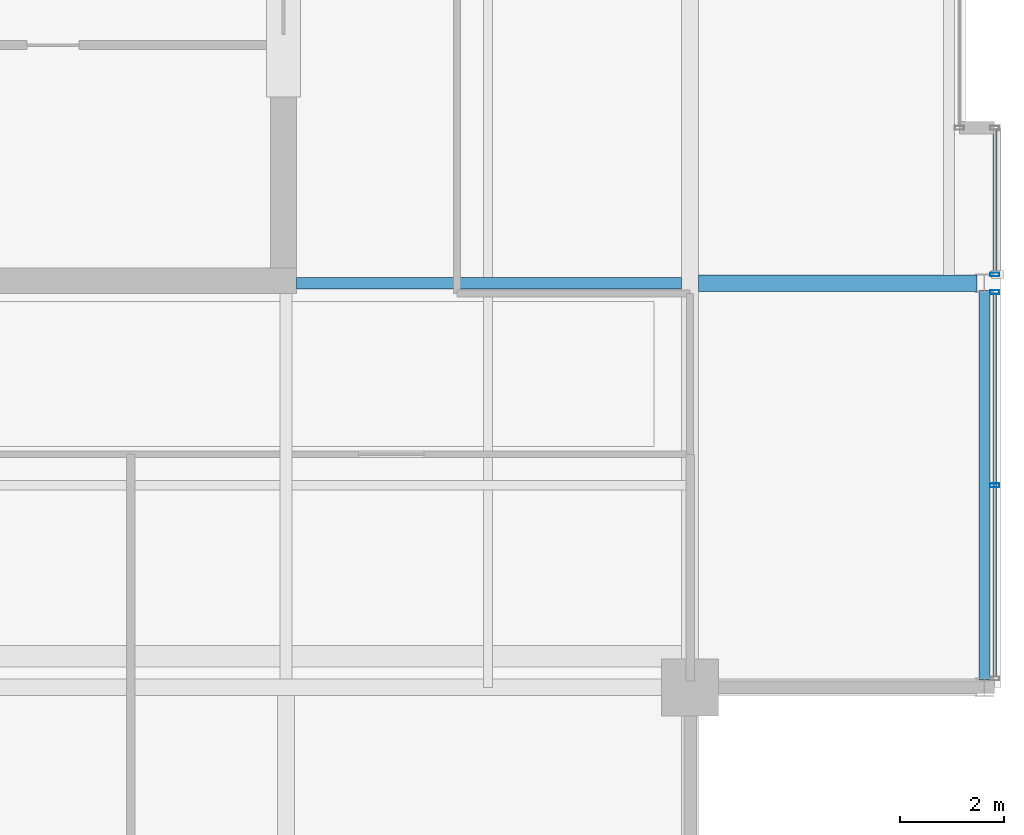
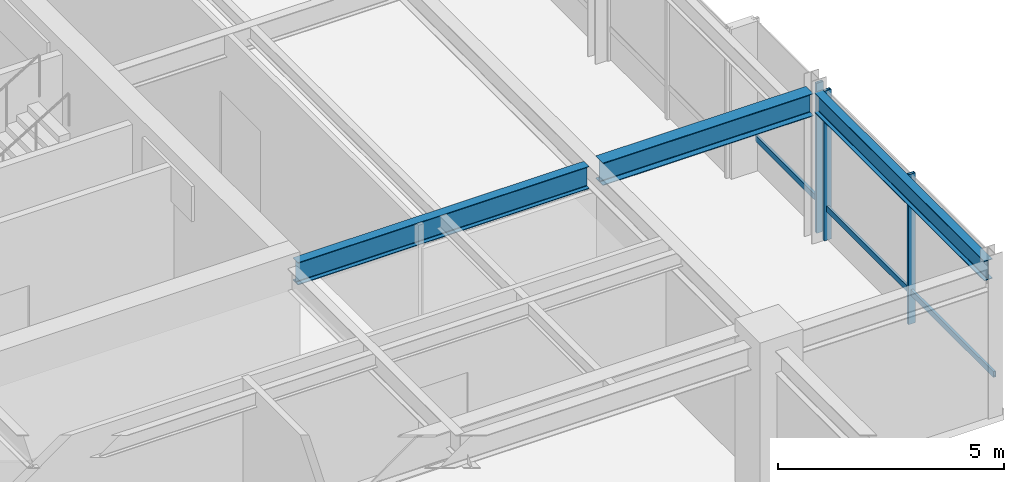
# One storey, part 17 of 33: 5 members, 3 beams, 2 elements without a shape of their own.
"""IFC4 building model written with IfcOpenShell, lengths in metres."""

from ifc_helpers import new_model, si_unit, direction, frame, origin, origin_2d, place, context, subcontext, project, spatial, hollow_rectangle, i_section, extrude, material, layer, layer_set, material_profile, profile_set, type_object, element, aggregate, save


model = new_model("IFC4")

# Units and contexts
model_context = context("Model", 3, precision=1e-05, world=origin(), true_north=direction((0.0, 1.0)))
body_context = subcontext(model_context, "Body", "Model", "MODEL_VIEW")
ifc_project = project(units=[si_unit("LENGTHUNIT", "METRE"), si_unit("AREAUNIT", "SQUARE_METRE"), si_unit("VOLUMEUNIT", "CUBIC_METRE"), si_unit("PLANEANGLEUNIT", "RADIAN"), si_unit("MASSUNIT", "GRAM", prefix="KILO")], contexts=[model_context])

# Site, building, storey
site_placement = place(None, origin())
site = spatial("IfcSite", under=ifc_project, at=site_placement, CompositionType="ELEMENT")
building_placement = place(site_placement, origin())
building = spatial("IfcBuilding", under=site, at=building_placement, Name="Drelvath Grand Hotel", CompositionType="ELEMENT")
storey_placement = place(building_placement, frame((0.0, 0.0, 298.60009765625)))
storey = spatial("IfcBuildingStorey", under=building, at=storey_placement, Name="L78", CompositionType="ELEMENT", Elevation=298.60009765625)

# Curtain wall, member
ifc_material_1 = material(Name="Platinum-Mist Anodised Aluminium Frame", Category="aluminium")
ifc_layer = layer(ifc_material_1, 0.199951171875)
ifc_layer_set = layer_set([ifc_layer], Name="Platinum-Mist Anodised Aluminium Frame")
curtain_wall_type = type_object("IfcCurtainWallType", Name="Stick Curtain Wall CW-05 Platinum Mist High-Rise", PredefinedType="NOTDEFINED", material=ifc_layer_set)
curtain_wall_1_placement = place(storey_placement, origin())
curtain_wall_1 = element("IfcCurtainWall", 1, at=curtain_wall_1_placement, inside=storey, type_object=curtain_wall_type, Name="L78 CW-05 Curtain Wall CW05-L78-ES1", PredefinedType="NOTDEFINED")
ifc_material_profile_1 = material_profile(ifc_material_1, hollow_rectangle(XDim=0.06494140625, YDim=0.159912109375, WallThickness=0.00390625, at=origin_2d()), Name="HSS160X65X4")
ifc_profile_set_1 = profile_set([ifc_material_profile_1], Name="Platinum-Mist Anodised Aluminium Frame")
member_type_1 = type_object("IfcMemberType", Name="Curtain Wall Horizontal Transom CW-05 HSS160X65X4", PredefinedType="USERDEFINED", material=ifc_profile_set_1)
member_1_placement = place(storey_placement, frame((22.080078125, 18.389892578125, 0.849853515625), z_axis=(0.0, -1.0, 0.0), x_axis=(1.0, 0.0, 0.0)))
member_1 = element("IfcMember", 2, at=member_1_placement, type_object=member_type_1, Name="CW05-L78-ES1 Sill Transom", ObjectType="TRANSOM", PredefinedType="USERDEFINED", context=body_context, shape_type="SweptSolid", body=[
    extrude(hollow_rectangle(XDim=0.06494140625, YDim=0.159912109375, WallThickness=0.00390625, at=origin_2d()), origin(), (0.0, 0.0, 1.0), 7.3798828125),
])

curtain_wall_2_placement = place(storey_placement, origin())
curtain_wall_2 = element("IfcCurtainWall", 3, at=curtain_wall_2_placement, inside=storey, type_object=curtain_wall_type, Name="L78 CW-05 Curtain Wall CW05-L78-ES2", PredefinedType="NOTDEFINED")
member_2_placement = place(storey_placement, frame((22.080078125, 21.56005859375, 0.849853515625), z_axis=(0.0, -1.0, 0.0), x_axis=(1.0, 0.0, 0.0)))
member_2 = element("IfcMember", 4, at=member_2_placement, type_object=member_type_1, Name="CW05-L78-ES2 Sill Transom", ObjectType="TRANSOM", PredefinedType="USERDEFINED", context=body_context, shape_type="SweptSolid", body=[
    extrude(hollow_rectangle(XDim=0.06494140625, YDim=0.159912109375, WallThickness=0.00390625, at=origin_2d()), origin(), (0.0, 0.0, 1.0), 2.75),
])

# Member
ifc_material_profile_2 = material_profile(ifc_material_1, hollow_rectangle(XDim=0.074951171875, YDim=0.179931640625, WallThickness=0.0048828125, at=origin_2d()), Name="HSS180X75X5")
ifc_profile_set_2 = profile_set([ifc_material_profile_2], Name="Platinum-Mist Anodised Aluminium Frame")
member_type_2 = type_object("IfcMemberType", Name="Curtain Wall Vertical Mullion CW-05 HSS180X75X5", PredefinedType="MULLION", material=ifc_profile_set_2)
member_3_placement = place(storey_placement, frame((22.080078125, 18.429931640625, 0.0), z_axis=(0.0, 0.0, 1.0), x_axis=(0.0, 1.0, 0.0)))
member_3 = element("IfcMember", 5, at=member_3_placement, type_object=member_type_2, Name="CW05-L78-ES1 Mullion 1", PredefinedType="MULLION", context=body_context, shape_type="SweptSolid", body=[
    extrude(hollow_rectangle(XDim=0.074951171875, YDim=0.179931640625, WallThickness=0.0048828125, at=origin_2d()), origin(), (0.0, 0.0, 1.0), 4.0498046875),
])

member_4_placement = place(storey_placement, frame((22.080078125, 14.7001953125, 0.0), z_axis=(0.0, 0.0, 1.0), x_axis=(0.0, 1.0, 0.0)))
member_4 = element("IfcMember", 6, at=member_4_placement, type_object=member_type_2, Name="CW05-L78-ES1 Mullion 2", PredefinedType="MULLION", context=body_context, shape_type="SweptSolid", body=[
    extrude(hollow_rectangle(XDim=0.074951171875, YDim=0.179931640625, WallThickness=0.0048828125, at=origin_2d()), origin(), (0.0, 0.0, 1.0), 4.0498046875),
])

aggregate(curtain_wall_1, [member_3, member_4, member_1])

member_5_placement = place(storey_placement, frame((22.080078125, 18.77001953125, 0.0), z_axis=(0.0, 0.0, 1.0), x_axis=(0.0, 1.0, 0.0)))
member_5 = element("IfcMember", 7, at=member_5_placement, type_object=member_type_2, Name="CW05-L78-ES2 Mullion 2", PredefinedType="MULLION", context=body_context, shape_type="SweptSolid", body=[
    extrude(hollow_rectangle(XDim=0.074951171875, YDim=0.179931640625, WallThickness=0.0048828125, at=origin_2d()), origin(), (0.0, 0.0, 1.0), 4.0498046875),
])

aggregate(curtain_wall_2, [member_5, member_2])

# Beams
ifc_material_2 = material(Name="Steel ASTM A992 Gr 50", Category="steel")
ifc_material_profile_3 = material_profile(ifc_material_2, i_section(OverallWidth=0.210205078125, OverallDepth=0.53662109375, WebThickness=0.010986328125, FlangeThickness=0.017333984375, FilletRadius=0.01806640625, at=origin_2d()), Name="W21X68")
ifc_profile_set_3 = profile_set([ifc_material_profile_3], Name="Steel ASTM A992 Gr 50")
beam_type_1 = type_object("IfcBeamType", Name="Perimeter Spandrel Beam W21X68", PredefinedType="SPANDREL", material=ifc_profile_set_3)
beam_1_placement = place(storey_placement, frame((21.8798828125, 10.93994140625, 3.781494140625), z_axis=(0.0, 1.0, 0.0), x_axis=(-1.0, 0.0, 0.0)))
element("IfcBeam", 8, at=beam_1_placement, inside=storey, type_object=beam_type_1, Name="L78 Spandrel East S", PredefinedType="SPANDREL", context=body_context, shape_type="SweptSolid", body=[
    extrude(i_section(OverallWidth=0.210205078125, OverallDepth=0.53662109375, WebThickness=0.010986328125, FlangeThickness=0.017333984375, FilletRadius=0.01806640625, at=origin_2d()), origin(), (0.0, 0.0, 1.0), 7.52001953125),
])
ifc_material_profile_4 = material_profile(ifc_material_2, i_section(OverallWidth=0.323974609375, OverallDepth=0.611083984375, WebThickness=0.0126953125, FlangeThickness=0.01904296875, FilletRadius=0.02197265625, at=origin_2d()), Name="W24X104")
ifc_profile_set_4 = profile_set([ifc_material_profile_4], Name="Steel ASTM A992 Gr 50")
beam_type_2 = type_object("IfcBeamType", Name="Primary Floor Girder W24X104", PredefinedType="BEAM", material=ifc_profile_set_4)
beam_2_placement = place(storey_placement, frame((16.362060546875, 18.60009765625, 3.744384765625), z_axis=(1.0, 0.0, 0.0), x_axis=(0.0, 1.0, 0.0)))
element("IfcBeam", 9, at=beam_2_placement, inside=storey, type_object=beam_type_2, Name="L78 East Wing Girder D", PredefinedType="BEAM", context=body_context, shape_type="SweptSolid", body=[
    extrude(i_section(OverallWidth=0.323974609375, OverallDepth=0.611083984375, WebThickness=0.0126953125, FlangeThickness=0.01904296875, FilletRadius=0.02197265625, at=origin_2d()), origin(), (0.0, 0.0, 1.0), 5.3779296875),
])
ifc_material_profile_5 = material_profile(ifc_material_2, i_section(OverallWidth=0.228271484375, OverallDepth=0.607666015625, WebThickness=0.01123046875, FlangeThickness=0.017333984375, FilletRadius=0.02001953125, at=origin_2d()), Name="W24X76")
ifc_profile_set_5 = profile_set([ifc_material_profile_5], Name="Steel ASTM A992 Gr 50")
beam_type_3 = type_object("IfcBeamType", Name="Primary Floor Girder W24X76", PredefinedType="BEAM", material=ifc_profile_set_5)
beam_3_placement = place(storey_placement, frame((8.60009765625, 18.60009765625, 3.74609375), z_axis=(1.0, 0.0, 0.0), x_axis=(0.0, 1.0, 0.0)))
element("IfcBeam", 10, at=beam_3_placement, inside=storey, type_object=beam_type_3, Name="L78 East Core Tie D", PredefinedType="BEAM", context=body_context, shape_type="SweptSolid", body=[
    extrude(i_section(OverallWidth=0.228271484375, OverallDepth=0.607666015625, WebThickness=0.01123046875, FlangeThickness=0.017333984375, FilletRadius=0.02001953125, at=origin_2d()), origin(), (0.0, 0.0, 1.0), 7.43798828125),
])

save(model, "model.ifc")
